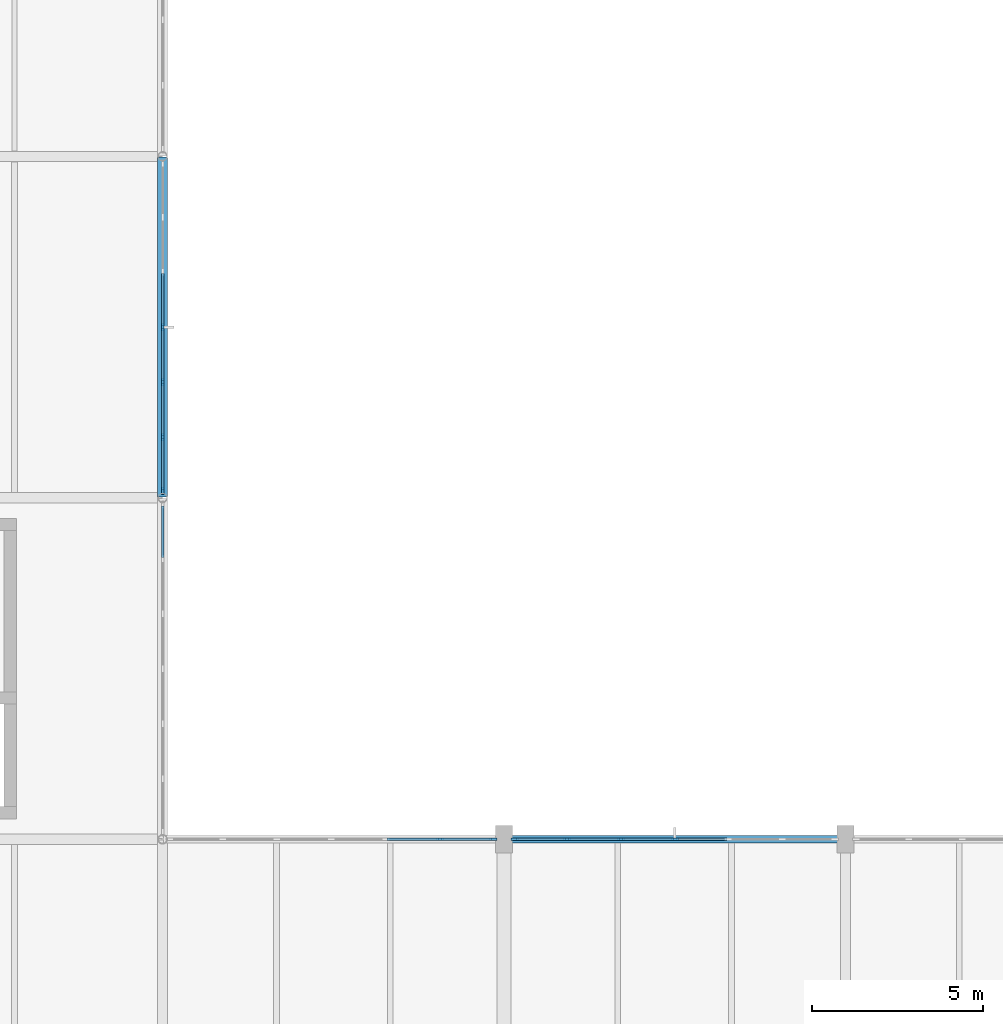
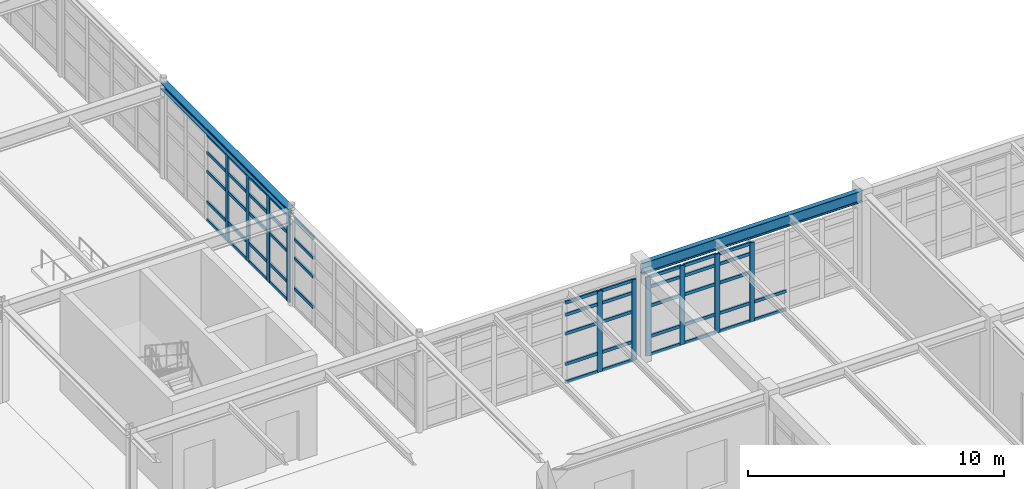
# One storey, part 75 of 139: 61 members, 2 beams, 4 elements without a shape of their own.
"""IFC4 building model written with IfcOpenShell, lengths in metres."""

from ifc_helpers import new_model, si_unit, direction, frame, origin, origin_2d, place, context, subcontext, project, spatial, rectangle, i_section, extrude, material, layer, layer_set, material_profile, profile_set, type_object, element, aggregate, save


model = new_model("IFC4")

# Units and contexts
model_context = context("Model", 3, precision=1e-05, world=origin(), true_north=direction((0.0, 1.0)))
body_context = subcontext(model_context, "Body", "Model", "MODEL_VIEW")
ifc_project = project(units=[si_unit("LENGTHUNIT", "METRE"), si_unit("AREAUNIT", "SQUARE_METRE"), si_unit("VOLUMEUNIT", "CUBIC_METRE"), si_unit("PLANEANGLEUNIT", "RADIAN"), si_unit("MASSUNIT", "GRAM", prefix="KILO"), si_unit("THERMODYNAMICTEMPERATUREUNIT", "KELVIN"), si_unit("POWERUNIT", "WATT")], contexts=[model_context])

# Site, building, storey
site_placement = place(None, origin())
site = spatial("IfcSite", under=ifc_project, at=site_placement, CompositionType="ELEMENT")
building_placement = place(site_placement, origin())
building = spatial("IfcBuilding", under=site, at=building_placement, Name="Korenveer Ferry Terminal", CompositionType="ELEMENT")
storey_placement = place(building_placement, frame((0.0, 0.0, 5.39990234375)))
storey = spatial("IfcBuildingStorey", under=building, at=storey_placement, Name="L01", CompositionType="ELEMENT", Elevation=5.39990234375)

# Curtain wall, members
ifc_material_1 = material(Name="Unitised bronze-and-glass curtain wall", Category="glass")
ifc_layer_1 = layer(ifc_material_1, 0.219970703125)
ifc_layer_set_1 = layer_set([ifc_layer_1], Name="Unitised bronze-and-glass curtain wall")
curtain_wall_type_1 = type_object("IfcCurtainWallType", Name="ENV-CW-53", PredefinedType="USERDEFINED", material=ifc_layer_set_1)
curtain_wall_1_placement = place(storey_placement, frame((136.16650390625, 80.0, 0.0)))
curtain_wall_1 = element("IfcCurtainWall", 1, at=curtain_wall_1_placement, inside=storey, type_object=curtain_wall_type_1, Name="Lancet curtain wall CWX-L01-X136-146-Y80-80", ObjectType="UNITISED CURTAIN WALL", PredefinedType="USERDEFINED")
ifc_material_2 = material(Name="Anodised bronze aluminium", Category="aluminium")
ifc_material_profile_1 = material_profile(ifc_material_2, rectangle(XDim=0.074951171875, YDim=0.219970703125, at=origin_2d()), Name="ALU 75x220")
ifc_profile_set_1 = profile_set([ifc_material_profile_1], Name="Anodised bronze aluminium")
member_type_1 = type_object("IfcMemberType", Name="ENV-CWM-75X220", PredefinedType="MULLION", material=ifc_profile_set_1)
member_1_placement = place(storey_placement, frame((144.127685546875, 80.0, 0.0), z_axis=(0.0, 0.0, 1.0), x_axis=(0.0, 1.0, 0.0)))
member_1 = element("IfcMember", 2, at=member_1_placement, type_object=member_type_1, Name="CW-53 mullion 6", PredefinedType="MULLION", context=body_context, shape_type="SweptSolid", body=[
    extrude(rectangle(XDim=0.074951171875, YDim=0.219970703125, at=origin_2d()), origin(), (0.0, 0.0, 1.0), 3.8701171875),
])
member_2_placement = place(storey_placement, frame((145.6826171875, 80.0, 0.0), z_axis=(0.0, 0.0, 1.0), x_axis=(0.0, 1.0, 0.0)))
member_2 = element("IfcMember", 3, at=member_2_placement, type_object=member_type_1, Name="CW-53 mullion 7", PredefinedType="MULLION", context=body_context, shape_type="SweptSolid", body=[
    extrude(rectangle(XDim=0.074951171875, YDim=0.219970703125, at=origin_2d()), origin(), (0.0, 0.0, 1.0), 3.8701171875),
])

ifc_layer_2 = layer(ifc_material_1, 0.219970703125)
ifc_layer_set_2 = layer_set([ifc_layer_2], Name="Unitised bronze-and-glass curtain wall")
curtain_wall_type_2 = type_object("IfcCurtainWallType", Name="ENV-CW-48", PredefinedType="USERDEFINED", material=ifc_layer_set_2)
curtain_wall_2_placement = place(storey_placement, frame((146.280029296875, 80.0, 0.0)))
curtain_wall_2 = element("IfcCurtainWall", 4, at=curtain_wall_2_placement, inside=storey, type_object=curtain_wall_type_2, Name="Lancet curtain wall CWX-L01-X146-156-Y80-80", ObjectType="UNITISED CURTAIN WALL", PredefinedType="USERDEFINED")
member_3_placement = place(storey_placement, frame((146.3173828125, 80.0, 0.0), z_axis=(0.0, 0.0, 1.0), x_axis=(0.0, 1.0, 0.0)))
member_3 = element("IfcMember", 5, at=member_3_placement, type_object=member_type_1, Name="CW-48 mullion 1", PredefinedType="MULLION", context=body_context, shape_type="SweptSolid", body=[
    extrude(rectangle(XDim=0.074951171875, YDim=0.219970703125, at=origin_2d()), origin(), (0.0, 0.0, 1.0), 3.77001953125),
])
member_4_placement = place(storey_placement, frame((147.853271484375, 80.0, 0.0), z_axis=(0.0, 0.0, 1.0), x_axis=(0.0, 1.0, 0.0)))
member_4 = element("IfcMember", 6, at=member_4_placement, type_object=member_type_1, Name="CW-48 mullion 2", PredefinedType="MULLION", context=body_context, shape_type="SweptSolid", body=[
    extrude(rectangle(XDim=0.074951171875, YDim=0.219970703125, at=origin_2d()), origin(), (0.0, 0.0, 1.0), 3.77001953125),
])
member_5_placement = place(storey_placement, frame((149.4267578125, 80.0, 0.0), z_axis=(0.0, 0.0, 1.0), x_axis=(0.0, 1.0, 0.0)))
member_5 = element("IfcMember", 7, at=member_5_placement, type_object=member_type_1, Name="CW-48 mullion 3", PredefinedType="MULLION", context=body_context, shape_type="SweptSolid", body=[
    extrude(rectangle(XDim=0.074951171875, YDim=0.219970703125, at=origin_2d()), origin(), (0.0, 0.0, 1.0), 3.77001953125),
])
member_6_placement = place(storey_placement, frame((151.0, 80.0, 0.0), z_axis=(0.0, 0.0, 1.0), x_axis=(0.0, 1.0, 0.0)))
member_6 = element("IfcMember", 8, at=member_6_placement, type_object=member_type_1, Name="CW-48 mullion 4", PredefinedType="MULLION", context=body_context, shape_type="SweptSolid", body=[
    extrude(rectangle(XDim=0.074951171875, YDim=0.219970703125, at=origin_2d()), origin(), (0.0, 0.0, 1.0), 3.77001953125),
])

ifc_layer_3 = layer(ifc_material_1, 0.219970703125)
ifc_layer_set_3 = layer_set([ifc_layer_3], Name="Unitised bronze-and-glass curtain wall")
curtain_wall_type_3 = type_object("IfcCurtainWallType", Name="ENV-CW-76", PredefinedType="USERDEFINED", material=ifc_layer_set_3)
curtain_wall_3_placement = place(storey_placement, frame((136.0, 99.83349609375, 0.0)))
curtain_wall_3 = element("IfcCurtainWall", 9, at=curtain_wall_3_placement, inside=storey, type_object=curtain_wall_type_3, Name="Lancet curtain wall CWX-L01-X136-136-Y90-100", ObjectType="UNITISED CURTAIN WALL", PredefinedType="USERDEFINED")
member_7_placement = place(storey_placement, frame((136.0, 95.0, 0.0), z_axis=(0.0, 0.0, 1.0), x_axis=(1.0, 0.0, 0.0)))
member_7 = element("IfcMember", 10, at=member_7_placement, type_object=member_type_1, Name="CW-76 mullion 4", PredefinedType="MULLION", context=body_context, shape_type="SweptSolid", body=[
    extrude(rectangle(XDim=0.074951171875, YDim=0.219970703125, at=origin_2d()), origin(), (0.0, 0.0, 1.0), 4.130126953125),
])
member_8_placement = place(storey_placement, frame((136.0, 93.388916015625, 0.0), z_axis=(0.0, 0.0, 1.0), x_axis=(1.0, 0.0, 0.0)))
member_8 = element("IfcMember", 11, at=member_8_placement, type_object=member_type_1, Name="CW-76 mullion 5", PredefinedType="MULLION", context=body_context, shape_type="SweptSolid", body=[
    extrude(rectangle(XDim=0.074951171875, YDim=0.219970703125, at=origin_2d()), origin(), (0.0, 0.0, 1.0), 4.130126953125),
])
member_9_placement = place(storey_placement, frame((136.0, 91.777587890625, 0.0), z_axis=(0.0, 0.0, 1.0), x_axis=(1.0, 0.0, 0.0)))
member_9 = element("IfcMember", 12, at=member_9_placement, type_object=member_type_1, Name="CW-76 mullion 6", PredefinedType="MULLION", context=body_context, shape_type="SweptSolid", body=[
    extrude(rectangle(XDim=0.074951171875, YDim=0.219970703125, at=origin_2d()), origin(), (0.0, 0.0, 1.0), 4.130126953125),
])
member_10_placement = place(storey_placement, frame((136.0, 90.2041015625, 0.0), z_axis=(0.0, 0.0, 1.0), x_axis=(1.0, 0.0, 0.0)))
member_10 = element("IfcMember", 13, at=member_10_placement, type_object=member_type_1, Name="CW-76 mullion 7", PredefinedType="MULLION", context=body_context, shape_type="SweptSolid", body=[
    extrude(rectangle(XDim=0.074951171875, YDim=0.219970703125, at=origin_2d()), origin(), (0.0, 0.0, 1.0), 4.130126953125),
])

# Member
ifc_material_profile_2 = material_profile(ifc_material_2, rectangle(XDim=0.074951171875, YDim=0.14990234375, at=origin_2d()), Name="ALU 75x150")
ifc_profile_set_2 = profile_set([ifc_material_profile_2], Name="Anodised bronze aluminium")
member_type_2 = type_object("IfcMemberType", Name="ENV-CWT-75X150", PredefinedType="USERDEFINED", material=ifc_profile_set_2)
member_11_placement = place(storey_placement, frame((142.572998046875, 80.0, 0.03759765625), z_axis=(1.0, 0.0, 0.0), x_axis=(0.0, 1.0, 0.0)))
member_11 = element("IfcMember", 14, at=member_11_placement, type_object=member_type_2, Name="CW-53 transom 5.1", ObjectType="TRANSOM", PredefinedType="USERDEFINED", context=body_context, shape_type="SweptSolid", body=[
    extrude(rectangle(XDim=0.074951171875, YDim=0.14990234375, at=origin_2d()), origin(), (0.0, 0.0, 1.0), 1.517333984375),
])

member_12_placement = place(storey_placement, frame((142.572998046875, 80.0, 0.900146484375), z_axis=(1.0, 0.0, 0.0), x_axis=(0.0, 1.0, 0.0)))
member_12 = element("IfcMember", 15, at=member_12_placement, type_object=member_type_2, Name="CW-53 transom 5.2", ObjectType="TRANSOM", PredefinedType="USERDEFINED", context=body_context, shape_type="SweptSolid", body=[
    extrude(rectangle(XDim=0.074951171875, YDim=0.14990234375, at=origin_2d()), origin(), (0.0, 0.0, 1.0), 1.517333984375),
])

member_13_placement = place(storey_placement, frame((142.572998046875, 80.0, 2.35009765625), z_axis=(1.0, 0.0, 0.0), x_axis=(0.0, 1.0, 0.0)))
member_13 = element("IfcMember", 16, at=member_13_placement, type_object=member_type_2, Name="CW-53 transom 5.3", ObjectType="TRANSOM", PredefinedType="USERDEFINED", context=body_context, shape_type="SweptSolid", body=[
    extrude(rectangle(XDim=0.074951171875, YDim=0.14990234375, at=origin_2d()), origin(), (0.0, 0.0, 1.0), 1.517333984375),
])

member_14_placement = place(storey_placement, frame((142.572998046875, 80.0, 3.25), z_axis=(1.0, 0.0, 0.0), x_axis=(0.0, 1.0, 0.0)))
member_14 = element("IfcMember", 17, at=member_14_placement, type_object=member_type_2, Name="CW-53 transom 5.4", ObjectType="TRANSOM", PredefinedType="USERDEFINED", context=body_context, shape_type="SweptSolid", body=[
    extrude(rectangle(XDim=0.074951171875, YDim=0.14990234375, at=origin_2d()), origin(), (0.0, 0.0, 1.0), 1.517333984375),
])

member_15_placement = place(storey_placement, frame((142.572998046875, 80.0, 3.83251953125), z_axis=(1.0, 0.0, 0.0), x_axis=(0.0, 1.0, 0.0)))
member_15 = element("IfcMember", 18, at=member_15_placement, type_object=member_type_2, Name="CW-53 transom 5.5", ObjectType="TRANSOM", PredefinedType="USERDEFINED", context=body_context, shape_type="SweptSolid", body=[
    extrude(rectangle(XDim=0.074951171875, YDim=0.14990234375, at=origin_2d()), origin(), (0.0, 0.0, 1.0), 1.517333984375),
])

member_16_placement = place(storey_placement, frame((144.165283203125, 80.0, 0.03759765625), z_axis=(1.0, 0.0, 0.0), x_axis=(0.0, 1.0, 0.0)))
member_16 = element("IfcMember", 19, at=member_16_placement, type_object=member_type_2, Name="CW-53 transom 6.1", ObjectType="TRANSOM", PredefinedType="USERDEFINED", context=body_context, shape_type="SweptSolid", body=[
    extrude(rectangle(XDim=0.074951171875, YDim=0.14990234375, at=origin_2d()), origin(), (0.0, 0.0, 1.0), 1.479736328125),
])

member_17_placement = place(storey_placement, frame((144.165283203125, 80.0, 0.900146484375), z_axis=(1.0, 0.0, 0.0), x_axis=(0.0, 1.0, 0.0)))
member_17 = element("IfcMember", 20, at=member_17_placement, type_object=member_type_2, Name="CW-53 transom 6.2", ObjectType="TRANSOM", PredefinedType="USERDEFINED", context=body_context, shape_type="SweptSolid", body=[
    extrude(rectangle(XDim=0.074951171875, YDim=0.14990234375, at=origin_2d()), origin(), (0.0, 0.0, 1.0), 1.479736328125),
])

member_18_placement = place(storey_placement, frame((144.165283203125, 80.0, 2.35009765625), z_axis=(1.0, 0.0, 0.0), x_axis=(0.0, 1.0, 0.0)))
member_18 = element("IfcMember", 21, at=member_18_placement, type_object=member_type_2, Name="CW-53 transom 6.3", ObjectType="TRANSOM", PredefinedType="USERDEFINED", context=body_context, shape_type="SweptSolid", body=[
    extrude(rectangle(XDim=0.074951171875, YDim=0.14990234375, at=origin_2d()), origin(), (0.0, 0.0, 1.0), 1.479736328125),
])

member_19_placement = place(storey_placement, frame((144.165283203125, 80.0, 3.25), z_axis=(1.0, 0.0, 0.0), x_axis=(0.0, 1.0, 0.0)))
member_19 = element("IfcMember", 22, at=member_19_placement, type_object=member_type_2, Name="CW-53 transom 6.4", ObjectType="TRANSOM", PredefinedType="USERDEFINED", context=body_context, shape_type="SweptSolid", body=[
    extrude(rectangle(XDim=0.074951171875, YDim=0.14990234375, at=origin_2d()), origin(), (0.0, 0.0, 1.0), 1.479736328125),
])

member_20_placement = place(storey_placement, frame((144.165283203125, 80.0, 3.83251953125), z_axis=(1.0, 0.0, 0.0), x_axis=(0.0, 1.0, 0.0)))
member_20 = element("IfcMember", 23, at=member_20_placement, type_object=member_type_2, Name="CW-53 transom 6.5", ObjectType="TRANSOM", PredefinedType="USERDEFINED", context=body_context, shape_type="SweptSolid", body=[
    extrude(rectangle(XDim=0.074951171875, YDim=0.14990234375, at=origin_2d()), origin(), (0.0, 0.0, 1.0), 1.479736328125),
])

aggregate(curtain_wall_1, [member_1, member_2, member_11, member_12, member_13, member_14, member_15, member_16, member_17, member_18, member_19, member_20])

member_21_placement = place(storey_placement, frame((146.35498046875, 80.0, 0.03759765625), z_axis=(1.0, 0.0, 0.0), x_axis=(0.0, 1.0, 0.0)))
member_21 = element("IfcMember", 24, at=member_21_placement, type_object=member_type_2, Name="CW-48 transom 1.1", ObjectType="TRANSOM", PredefinedType="USERDEFINED", context=body_context, shape_type="SweptSolid", body=[
    extrude(rectangle(XDim=0.074951171875, YDim=0.14990234375, at=origin_2d()), origin(), (0.0, 0.0, 1.0), 1.4609375),
])

member_22_placement = place(storey_placement, frame((146.35498046875, 80.0, 0.900146484375), z_axis=(1.0, 0.0, 0.0), x_axis=(0.0, 1.0, 0.0)))
member_22 = element("IfcMember", 25, at=member_22_placement, type_object=member_type_2, Name="CW-48 transom 1.2", ObjectType="TRANSOM", PredefinedType="USERDEFINED", context=body_context, shape_type="SweptSolid", body=[
    extrude(rectangle(XDim=0.074951171875, YDim=0.14990234375, at=origin_2d()), origin(), (0.0, 0.0, 1.0), 1.4609375),
])

member_23_placement = place(storey_placement, frame((146.35498046875, 80.0, 2.35009765625), z_axis=(1.0, 0.0, 0.0), x_axis=(0.0, 1.0, 0.0)))
member_23 = element("IfcMember", 26, at=member_23_placement, type_object=member_type_2, Name="CW-48 transom 1.3", ObjectType="TRANSOM", PredefinedType="USERDEFINED", context=body_context, shape_type="SweptSolid", body=[
    extrude(rectangle(XDim=0.074951171875, YDim=0.14990234375, at=origin_2d()), origin(), (0.0, 0.0, 1.0), 1.4609375),
])

member_24_placement = place(storey_placement, frame((146.35498046875, 80.0, 3.25), z_axis=(1.0, 0.0, 0.0), x_axis=(0.0, 1.0, 0.0)))
member_24 = element("IfcMember", 27, at=member_24_placement, type_object=member_type_2, Name="CW-48 transom 1.4", ObjectType="TRANSOM", PredefinedType="USERDEFINED", context=body_context, shape_type="SweptSolid", body=[
    extrude(rectangle(XDim=0.074951171875, YDim=0.14990234375, at=origin_2d()), origin(), (0.0, 0.0, 1.0), 1.4609375),
])

member_25_placement = place(storey_placement, frame((146.35498046875, 80.0, 3.732666015625), z_axis=(1.0, 0.0, 0.0), x_axis=(0.0, 1.0, 0.0)))
member_25 = element("IfcMember", 28, at=member_25_placement, type_object=member_type_2, Name="CW-48 transom 1.5", ObjectType="TRANSOM", PredefinedType="USERDEFINED", context=body_context, shape_type="SweptSolid", body=[
    extrude(rectangle(XDim=0.074951171875, YDim=0.14990234375, at=origin_2d()), origin(), (0.0, 0.0, 1.0), 1.4609375),
])

member_26_placement = place(storey_placement, frame((147.890869140625, 80.0, 0.03759765625), z_axis=(1.0, 0.0, 0.0), x_axis=(0.0, 1.0, 0.0)))
member_26 = element("IfcMember", 29, at=member_26_placement, type_object=member_type_2, Name="CW-48 transom 2.1", ObjectType="TRANSOM", PredefinedType="USERDEFINED", context=body_context, shape_type="SweptSolid", body=[
    extrude(rectangle(XDim=0.074951171875, YDim=0.14990234375, at=origin_2d()), origin(), (0.0, 0.0, 1.0), 1.498291015625),
])

member_27_placement = place(storey_placement, frame((147.890869140625, 80.0, 0.900146484375), z_axis=(1.0, 0.0, 0.0), x_axis=(0.0, 1.0, 0.0)))
member_27 = element("IfcMember", 30, at=member_27_placement, type_object=member_type_2, Name="CW-48 transom 2.2", ObjectType="TRANSOM", PredefinedType="USERDEFINED", context=body_context, shape_type="SweptSolid", body=[
    extrude(rectangle(XDim=0.074951171875, YDim=0.14990234375, at=origin_2d()), origin(), (0.0, 0.0, 1.0), 1.498291015625),
])

member_28_placement = place(storey_placement, frame((147.890869140625, 80.0, 2.35009765625), z_axis=(1.0, 0.0, 0.0), x_axis=(0.0, 1.0, 0.0)))
member_28 = element("IfcMember", 31, at=member_28_placement, type_object=member_type_2, Name="CW-48 transom 2.3", ObjectType="TRANSOM", PredefinedType="USERDEFINED", context=body_context, shape_type="SweptSolid", body=[
    extrude(rectangle(XDim=0.074951171875, YDim=0.14990234375, at=origin_2d()), origin(), (0.0, 0.0, 1.0), 1.498291015625),
])

member_29_placement = place(storey_placement, frame((147.890869140625, 80.0, 3.25), z_axis=(1.0, 0.0, 0.0), x_axis=(0.0, 1.0, 0.0)))
member_29 = element("IfcMember", 32, at=member_29_placement, type_object=member_type_2, Name="CW-48 transom 2.4", ObjectType="TRANSOM", PredefinedType="USERDEFINED", context=body_context, shape_type="SweptSolid", body=[
    extrude(rectangle(XDim=0.074951171875, YDim=0.14990234375, at=origin_2d()), origin(), (0.0, 0.0, 1.0), 1.498291015625),
])

member_30_placement = place(storey_placement, frame((147.890869140625, 80.0, 3.732666015625), z_axis=(1.0, 0.0, 0.0), x_axis=(0.0, 1.0, 0.0)))
member_30 = element("IfcMember", 33, at=member_30_placement, type_object=member_type_2, Name="CW-48 transom 2.5", ObjectType="TRANSOM", PredefinedType="USERDEFINED", context=body_context, shape_type="SweptSolid", body=[
    extrude(rectangle(XDim=0.074951171875, YDim=0.14990234375, at=origin_2d()), origin(), (0.0, 0.0, 1.0), 1.498291015625),
])

member_31_placement = place(storey_placement, frame((149.464111328125, 80.0, 0.03759765625), z_axis=(1.0, 0.0, 0.0), x_axis=(0.0, 1.0, 0.0)))
member_31 = element("IfcMember", 34, at=member_31_placement, type_object=member_type_2, Name="CW-48 transom 3.1", ObjectType="TRANSOM", PredefinedType="USERDEFINED", context=body_context, shape_type="SweptSolid", body=[
    extrude(rectangle(XDim=0.074951171875, YDim=0.14990234375, at=origin_2d()), origin(), (0.0, 0.0, 1.0), 1.498291015625),
])

member_32_placement = place(storey_placement, frame((149.464111328125, 80.0, 0.900146484375), z_axis=(1.0, 0.0, 0.0), x_axis=(0.0, 1.0, 0.0)))
member_32 = element("IfcMember", 35, at=member_32_placement, type_object=member_type_2, Name="CW-48 transom 3.2", ObjectType="TRANSOM", PredefinedType="USERDEFINED", context=body_context, shape_type="SweptSolid", body=[
    extrude(rectangle(XDim=0.074951171875, YDim=0.14990234375, at=origin_2d()), origin(), (0.0, 0.0, 1.0), 1.498291015625),
])

member_33_placement = place(storey_placement, frame((149.464111328125, 80.0, 2.35009765625), z_axis=(1.0, 0.0, 0.0), x_axis=(0.0, 1.0, 0.0)))
member_33 = element("IfcMember", 36, at=member_33_placement, type_object=member_type_2, Name="CW-48 transom 3.3", ObjectType="TRANSOM", PredefinedType="USERDEFINED", context=body_context, shape_type="SweptSolid", body=[
    extrude(rectangle(XDim=0.074951171875, YDim=0.14990234375, at=origin_2d()), origin(), (0.0, 0.0, 1.0), 1.498291015625),
])

member_34_placement = place(storey_placement, frame((149.464111328125, 80.0, 3.25), z_axis=(1.0, 0.0, 0.0), x_axis=(0.0, 1.0, 0.0)))
member_34 = element("IfcMember", 37, at=member_34_placement, type_object=member_type_2, Name="CW-48 transom 3.4", ObjectType="TRANSOM", PredefinedType="USERDEFINED", context=body_context, shape_type="SweptSolid", body=[
    extrude(rectangle(XDim=0.074951171875, YDim=0.14990234375, at=origin_2d()), origin(), (0.0, 0.0, 1.0), 1.498291015625),
])

member_35_placement = place(storey_placement, frame((149.464111328125, 80.0, 3.732666015625), z_axis=(1.0, 0.0, 0.0), x_axis=(0.0, 1.0, 0.0)))
member_35 = element("IfcMember", 38, at=member_35_placement, type_object=member_type_2, Name="CW-48 transom 3.5", ObjectType="TRANSOM", PredefinedType="USERDEFINED", context=body_context, shape_type="SweptSolid", body=[
    extrude(rectangle(XDim=0.074951171875, YDim=0.14990234375, at=origin_2d()), origin(), (0.0, 0.0, 1.0), 1.498291015625),
])

member_36_placement = place(storey_placement, frame((151.03759765625, 80.0, 0.03759765625), z_axis=(1.0, 0.0, 0.0), x_axis=(0.0, 1.0, 0.0)))
member_36 = element("IfcMember", 39, at=member_36_placement, type_object=member_type_2, Name="CW-48 transom 4.1", ObjectType="TRANSOM", PredefinedType="USERDEFINED", context=body_context, shape_type="SweptSolid", body=[
    extrude(rectangle(XDim=0.074951171875, YDim=0.14990234375, at=origin_2d()), origin(), (0.0, 0.0, 1.0), 1.498291015625),
])

member_37_placement = place(storey_placement, frame((151.03759765625, 80.0, 0.900146484375), z_axis=(1.0, 0.0, 0.0), x_axis=(0.0, 1.0, 0.0)))
member_37 = element("IfcMember", 40, at=member_37_placement, type_object=member_type_2, Name="CW-48 transom 4.2", ObjectType="TRANSOM", PredefinedType="USERDEFINED", context=body_context, shape_type="SweptSolid", body=[
    extrude(rectangle(XDim=0.074951171875, YDim=0.14990234375, at=origin_2d()), origin(), (0.0, 0.0, 1.0), 1.498291015625),
])

aggregate(curtain_wall_2, [member_3, member_4, member_5, member_6, member_21, member_22, member_23, member_24, member_25, member_26, member_27, member_28, member_29, member_30, member_31, member_32, member_33, member_34, member_35, member_36, member_37])

# Curtain wall, members
ifc_layer_4 = layer(ifc_material_1, 0.219970703125)
ifc_layer_set_4 = layer_set([ifc_layer_4], Name="Unitised bronze-and-glass curtain wall")
curtain_wall_type_4 = type_object("IfcCurtainWallType", Name="ENV-CW-65", PredefinedType="USERDEFINED", material=ifc_layer_set_4)
curtain_wall_4_placement = place(storey_placement, frame((136.0, 89.83349609375, 0.0)))
curtain_wall_4 = element("IfcCurtainWall", 41, at=curtain_wall_4_placement, inside=storey, type_object=curtain_wall_type_4, Name="Lancet curtain wall CWX-L01-X136-136-Y80-90", ObjectType="UNITISED CURTAIN WALL", PredefinedType="USERDEFINED")
member_38_placement = place(storey_placement, frame((136.0, 89.758544921875, 0.900146484375), z_axis=(0.0, -1.0, 0.0), x_axis=(1.0, 0.0, 0.0)))
member_38 = element("IfcMember", 42, at=member_38_placement, type_object=member_type_2, Name="CW-65 transom 1.2", ObjectType="TRANSOM", PredefinedType="USERDEFINED", context=body_context, shape_type="SweptSolid", body=[
    extrude(rectangle(XDim=0.074951171875, YDim=0.14990234375, at=origin_2d()), origin(), (0.0, 0.0, 1.0), 1.498779296875),
])
member_39_placement = place(storey_placement, frame((136.0, 89.758544921875, 2.35009765625), z_axis=(0.0, -1.0, 0.0), x_axis=(1.0, 0.0, 0.0)))
member_39 = element("IfcMember", 43, at=member_39_placement, type_object=member_type_2, Name="CW-65 transom 1.3", ObjectType="TRANSOM", PredefinedType="USERDEFINED", context=body_context, shape_type="SweptSolid", body=[
    extrude(rectangle(XDim=0.074951171875, YDim=0.14990234375, at=origin_2d()), origin(), (0.0, 0.0, 1.0), 1.498779296875),
])
member_40_placement = place(storey_placement, frame((136.0, 89.758544921875, 3.25), z_axis=(0.0, -1.0, 0.0), x_axis=(1.0, 0.0, 0.0)))
member_40 = element("IfcMember", 44, at=member_40_placement, type_object=member_type_2, Name="CW-65 transom 1.4", ObjectType="TRANSOM", PredefinedType="USERDEFINED", context=body_context, shape_type="SweptSolid", body=[
    extrude(rectangle(XDim=0.074951171875, YDim=0.14990234375, at=origin_2d()), origin(), (0.0, 0.0, 1.0), 1.498779296875),
])
member_41_placement = place(storey_placement, frame((136.0, 89.758544921875, 4.192626953125), z_axis=(0.0, -1.0, 0.0), x_axis=(1.0, 0.0, 0.0)))
member_41 = element("IfcMember", 45, at=member_41_placement, type_object=member_type_2, Name="CW-65 transom 1.5", ObjectType="TRANSOM", PredefinedType="USERDEFINED", context=body_context, shape_type="SweptSolid", body=[
    extrude(rectangle(XDim=0.074951171875, YDim=0.14990234375, at=origin_2d()), origin(), (0.0, 0.0, 1.0), 1.498779296875),
])
aggregate(curtain_wall_4, [member_38, member_39, member_40, member_41])

# Member
member_42_placement = place(storey_placement, frame((136.0, 96.57373046875, 0.03759765625), z_axis=(0.0, -1.0, 0.0), x_axis=(1.0, 0.0, 0.0)))
member_42 = element("IfcMember", 46, at=member_42_placement, type_object=member_type_2, Name="CW-76 transom 3.1", ObjectType="TRANSOM", PredefinedType="USERDEFINED", context=body_context, shape_type="SweptSolid", body=[
    extrude(rectangle(XDim=0.074951171875, YDim=0.14990234375, at=origin_2d()), origin(), (0.0, 0.0, 1.0), 1.5361328125),
])

member_43_placement = place(storey_placement, frame((136.0, 96.57373046875, 0.900146484375), z_axis=(0.0, -1.0, 0.0), x_axis=(1.0, 0.0, 0.0)))
member_43 = element("IfcMember", 47, at=member_43_placement, type_object=member_type_2, Name="CW-76 transom 3.2", ObjectType="TRANSOM", PredefinedType="USERDEFINED", context=body_context, shape_type="SweptSolid", body=[
    extrude(rectangle(XDim=0.074951171875, YDim=0.14990234375, at=origin_2d()), origin(), (0.0, 0.0, 1.0), 1.5361328125),
])

member_44_placement = place(storey_placement, frame((136.0, 96.57373046875, 2.35009765625), z_axis=(0.0, -1.0, 0.0), x_axis=(1.0, 0.0, 0.0)))
member_44 = element("IfcMember", 48, at=member_44_placement, type_object=member_type_2, Name="CW-76 transom 3.3", ObjectType="TRANSOM", PredefinedType="USERDEFINED", context=body_context, shape_type="SweptSolid", body=[
    extrude(rectangle(XDim=0.074951171875, YDim=0.14990234375, at=origin_2d()), origin(), (0.0, 0.0, 1.0), 1.5361328125),
])

member_45_placement = place(storey_placement, frame((136.0, 96.57373046875, 3.25), z_axis=(0.0, -1.0, 0.0), x_axis=(1.0, 0.0, 0.0)))
member_45 = element("IfcMember", 49, at=member_45_placement, type_object=member_type_2, Name="CW-76 transom 3.4", ObjectType="TRANSOM", PredefinedType="USERDEFINED", context=body_context, shape_type="SweptSolid", body=[
    extrude(rectangle(XDim=0.074951171875, YDim=0.14990234375, at=origin_2d()), origin(), (0.0, 0.0, 1.0), 1.5361328125),
])

member_46_placement = place(storey_placement, frame((136.0, 96.57373046875, 4.092529296875), z_axis=(0.0, -1.0, 0.0), x_axis=(1.0, 0.0, 0.0)))
member_46 = element("IfcMember", 50, at=member_46_placement, type_object=member_type_2, Name="CW-76 transom 3.5", ObjectType="TRANSOM", PredefinedType="USERDEFINED", context=body_context, shape_type="SweptSolid", body=[
    extrude(rectangle(XDim=0.074951171875, YDim=0.14990234375, at=origin_2d()), origin(), (0.0, 0.0, 1.0), 1.5361328125),
])

member_47_placement = place(storey_placement, frame((136.0, 94.96240234375, 0.03759765625), z_axis=(0.0, -1.0, 0.0), x_axis=(1.0, 0.0, 0.0)))
member_47 = element("IfcMember", 51, at=member_47_placement, type_object=member_type_2, Name="CW-76 transom 4.1", ObjectType="TRANSOM", PredefinedType="USERDEFINED", context=body_context, shape_type="SweptSolid", body=[
    extrude(rectangle(XDim=0.074951171875, YDim=0.14990234375, at=origin_2d()), origin(), (0.0, 0.0, 1.0), 1.5361328125),
])

member_48_placement = place(storey_placement, frame((136.0, 94.96240234375, 0.900146484375), z_axis=(0.0, -1.0, 0.0), x_axis=(1.0, 0.0, 0.0)))
member_48 = element("IfcMember", 52, at=member_48_placement, type_object=member_type_2, Name="CW-76 transom 4.2", ObjectType="TRANSOM", PredefinedType="USERDEFINED", context=body_context, shape_type="SweptSolid", body=[
    extrude(rectangle(XDim=0.074951171875, YDim=0.14990234375, at=origin_2d()), origin(), (0.0, 0.0, 1.0), 1.5361328125),
])

member_49_placement = place(storey_placement, frame((136.0, 94.96240234375, 2.35009765625), z_axis=(0.0, -1.0, 0.0), x_axis=(1.0, 0.0, 0.0)))
member_49 = element("IfcMember", 53, at=member_49_placement, type_object=member_type_2, Name="CW-76 transom 4.3", ObjectType="TRANSOM", PredefinedType="USERDEFINED", context=body_context, shape_type="SweptSolid", body=[
    extrude(rectangle(XDim=0.074951171875, YDim=0.14990234375, at=origin_2d()), origin(), (0.0, 0.0, 1.0), 1.5361328125),
])

member_50_placement = place(storey_placement, frame((136.0, 94.96240234375, 3.25), z_axis=(0.0, -1.0, 0.0), x_axis=(1.0, 0.0, 0.0)))
member_50 = element("IfcMember", 54, at=member_50_placement, type_object=member_type_2, Name="CW-76 transom 4.4", ObjectType="TRANSOM", PredefinedType="USERDEFINED", context=body_context, shape_type="SweptSolid", body=[
    extrude(rectangle(XDim=0.074951171875, YDim=0.14990234375, at=origin_2d()), origin(), (0.0, 0.0, 1.0), 1.5361328125),
])

member_51_placement = place(storey_placement, frame((136.0, 94.96240234375, 4.092529296875), z_axis=(0.0, -1.0, 0.0), x_axis=(1.0, 0.0, 0.0)))
member_51 = element("IfcMember", 55, at=member_51_placement, type_object=member_type_2, Name="CW-76 transom 4.5", ObjectType="TRANSOM", PredefinedType="USERDEFINED", context=body_context, shape_type="SweptSolid", body=[
    extrude(rectangle(XDim=0.074951171875, YDim=0.14990234375, at=origin_2d()), origin(), (0.0, 0.0, 1.0), 1.5361328125),
])

member_52_placement = place(storey_placement, frame((136.0, 93.351318359375, 0.03759765625), z_axis=(0.0, -1.0, 0.0), x_axis=(1.0, 0.0, 0.0)))
member_52 = element("IfcMember", 56, at=member_52_placement, type_object=member_type_2, Name="CW-76 transom 5.1", ObjectType="TRANSOM", PredefinedType="USERDEFINED", context=body_context, shape_type="SweptSolid", body=[
    extrude(rectangle(XDim=0.074951171875, YDim=0.14990234375, at=origin_2d()), origin(), (0.0, 0.0, 1.0), 1.5361328125),
])

member_53_placement = place(storey_placement, frame((136.0, 93.351318359375, 0.900146484375), z_axis=(0.0, -1.0, 0.0), x_axis=(1.0, 0.0, 0.0)))
member_53 = element("IfcMember", 57, at=member_53_placement, type_object=member_type_2, Name="CW-76 transom 5.2", ObjectType="TRANSOM", PredefinedType="USERDEFINED", context=body_context, shape_type="SweptSolid", body=[
    extrude(rectangle(XDim=0.074951171875, YDim=0.14990234375, at=origin_2d()), origin(), (0.0, 0.0, 1.0), 1.5361328125),
])

member_54_placement = place(storey_placement, frame((136.0, 93.351318359375, 2.35009765625), z_axis=(0.0, -1.0, 0.0), x_axis=(1.0, 0.0, 0.0)))
member_54 = element("IfcMember", 58, at=member_54_placement, type_object=member_type_2, Name="CW-76 transom 5.3", ObjectType="TRANSOM", PredefinedType="USERDEFINED", context=body_context, shape_type="SweptSolid", body=[
    extrude(rectangle(XDim=0.074951171875, YDim=0.14990234375, at=origin_2d()), origin(), (0.0, 0.0, 1.0), 1.5361328125),
])

member_55_placement = place(storey_placement, frame((136.0, 93.351318359375, 3.25), z_axis=(0.0, -1.0, 0.0), x_axis=(1.0, 0.0, 0.0)))
member_55 = element("IfcMember", 59, at=member_55_placement, type_object=member_type_2, Name="CW-76 transom 5.4", ObjectType="TRANSOM", PredefinedType="USERDEFINED", context=body_context, shape_type="SweptSolid", body=[
    extrude(rectangle(XDim=0.074951171875, YDim=0.14990234375, at=origin_2d()), origin(), (0.0, 0.0, 1.0), 1.5361328125),
])

member_56_placement = place(storey_placement, frame((136.0, 93.351318359375, 4.092529296875), z_axis=(0.0, -1.0, 0.0), x_axis=(1.0, 0.0, 0.0)))
member_56 = element("IfcMember", 60, at=member_56_placement, type_object=member_type_2, Name="CW-76 transom 5.5", ObjectType="TRANSOM", PredefinedType="USERDEFINED", context=body_context, shape_type="SweptSolid", body=[
    extrude(rectangle(XDim=0.074951171875, YDim=0.14990234375, at=origin_2d()), origin(), (0.0, 0.0, 1.0), 1.5361328125),
])

member_57_placement = place(storey_placement, frame((136.0, 91.740234375, 0.03759765625), z_axis=(0.0, -1.0, 0.0), x_axis=(1.0, 0.0, 0.0)))
member_57 = element("IfcMember", 61, at=member_57_placement, type_object=member_type_2, Name="CW-76 transom 6.1", ObjectType="TRANSOM", PredefinedType="USERDEFINED", context=body_context, shape_type="SweptSolid", body=[
    extrude(rectangle(XDim=0.074951171875, YDim=0.14990234375, at=origin_2d()), origin(), (0.0, 0.0, 1.0), 1.498779296875),
])

member_58_placement = place(storey_placement, frame((136.0, 91.740234375, 0.900146484375), z_axis=(0.0, -1.0, 0.0), x_axis=(1.0, 0.0, 0.0)))
member_58 = element("IfcMember", 62, at=member_58_placement, type_object=member_type_2, Name="CW-76 transom 6.2", ObjectType="TRANSOM", PredefinedType="USERDEFINED", context=body_context, shape_type="SweptSolid", body=[
    extrude(rectangle(XDim=0.074951171875, YDim=0.14990234375, at=origin_2d()), origin(), (0.0, 0.0, 1.0), 1.498779296875),
])

member_59_placement = place(storey_placement, frame((136.0, 91.740234375, 2.35009765625), z_axis=(0.0, -1.0, 0.0), x_axis=(1.0, 0.0, 0.0)))
member_59 = element("IfcMember", 63, at=member_59_placement, type_object=member_type_2, Name="CW-76 transom 6.3", ObjectType="TRANSOM", PredefinedType="USERDEFINED", context=body_context, shape_type="SweptSolid", body=[
    extrude(rectangle(XDim=0.074951171875, YDim=0.14990234375, at=origin_2d()), origin(), (0.0, 0.0, 1.0), 1.498779296875),
])

member_60_placement = place(storey_placement, frame((136.0, 91.740234375, 3.25), z_axis=(0.0, -1.0, 0.0), x_axis=(1.0, 0.0, 0.0)))
member_60 = element("IfcMember", 64, at=member_60_placement, type_object=member_type_2, Name="CW-76 transom 6.4", ObjectType="TRANSOM", PredefinedType="USERDEFINED", context=body_context, shape_type="SweptSolid", body=[
    extrude(rectangle(XDim=0.074951171875, YDim=0.14990234375, at=origin_2d()), origin(), (0.0, 0.0, 1.0), 1.498779296875),
])

member_61_placement = place(storey_placement, frame((136.0, 91.740234375, 4.092529296875), z_axis=(0.0, -1.0, 0.0), x_axis=(1.0, 0.0, 0.0)))
member_61 = element("IfcMember", 65, at=member_61_placement, type_object=member_type_2, Name="CW-76 transom 6.5", ObjectType="TRANSOM", PredefinedType="USERDEFINED", context=body_context, shape_type="SweptSolid", body=[
    extrude(rectangle(XDim=0.074951171875, YDim=0.14990234375, at=origin_2d()), origin(), (0.0, 0.0, 1.0), 1.498779296875),
])

aggregate(curtain_wall_3, [member_7, member_8, member_9, member_10, member_42, member_43, member_44, member_45, member_46, member_47, member_48, member_49, member_50, member_51, member_52, member_53, member_54, member_55, member_56, member_57, member_58, member_59, member_60, member_61])

# Beams
ifc_material_3 = material(Name="Steel S355", Category="steel")
ifc_material_profile_3 = material_profile(ifc_material_3, i_section(OverallWidth=0.300048828125, OverallDepth=0.2900390625, WebThickness=0.008544921875, FlangeThickness=0.013916015625, FilletRadius=0.027099609375, at=origin_2d()), Name="HEA 300")
ifc_profile_set_3 = profile_set([ifc_material_profile_3], Name="Steel S355")
beam_type_1 = type_object("IfcBeamType", Name="STR-BM-HEA300", PredefinedType="BEAM", material=ifc_profile_set_3)
beam_1_placement = place(storey_placement, frame((136.0, 90.02001953125, 4.405029296875), z_axis=(0.0, 1.0, 0.0), x_axis=(-1.0, 0.0, 0.0)))
element("IfcBeam", 66, at=beam_1_placement, inside=storey, type_object=beam_type_1, Name="Primary Y girder BMY-L02-X136-Y90-100", PredefinedType="BEAM", context=body_context, shape_type="SweptSolid", body=[
    extrude(i_section(OverallWidth=0.300048828125, OverallDepth=0.2900390625, WebThickness=0.008544921875, FlangeThickness=0.013916015625, FilletRadius=0.027099609375, at=origin_2d()), origin(), (0.0, 0.0, 1.0), 9.9599609375),
])
ifc_material_profile_4 = material_profile(ifc_material_3, i_section(OverallWidth=0.2099609375, OverallDepth=0.550048828125, WebThickness=0.010986328125, FlangeThickness=0.01708984375, FilletRadius=0.02392578125, at=origin_2d()), Name="IPE 550")
ifc_profile_set_4 = profile_set([ifc_material_profile_4], Name="Steel S355")
beam_type_2 = type_object("IfcBeamType", Name="STR-BM-IPE550", PredefinedType="BEAM", material=ifc_profile_set_4)
beam_2_placement = place(storey_placement, frame((146.02001953125, 80.0, 4.275146484375), z_axis=(1.0, 0.0, 0.0), x_axis=(0.0, 1.0, 0.0)))
element("IfcBeam", 67, at=beam_2_placement, inside=storey, type_object=beam_type_2, Name="Primary X girder BMX-L02-X146-156-Y80", PredefinedType="BEAM", context=body_context, shape_type="SweptSolid", body=[
    extrude(i_section(OverallWidth=0.2099609375, OverallDepth=0.550048828125, WebThickness=0.010986328125, FlangeThickness=0.01708984375, FilletRadius=0.02392578125, at=origin_2d()), origin(), (0.0, 0.0, 1.0), 9.9599609375),
])

save(model, "model.ifc")
